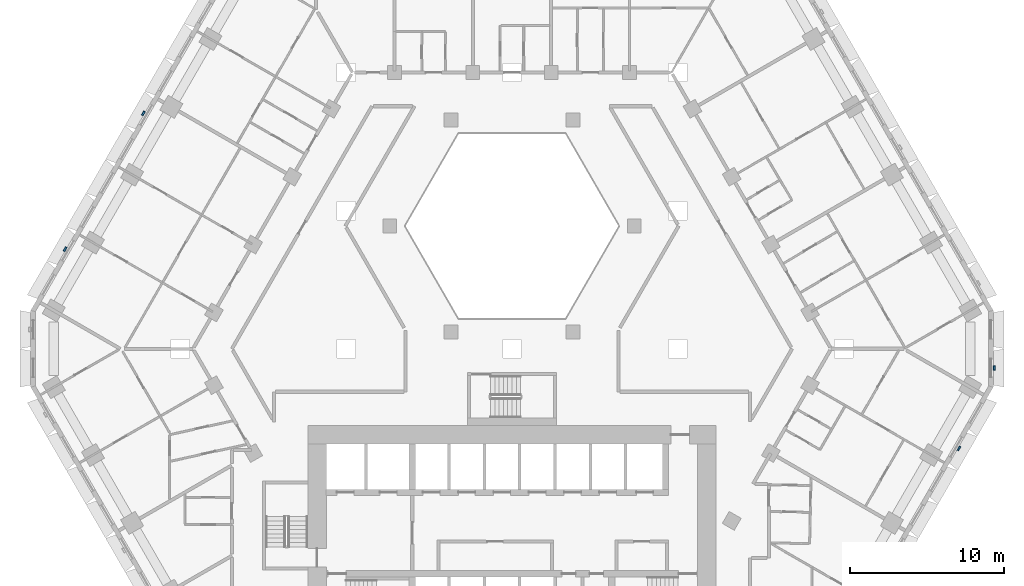
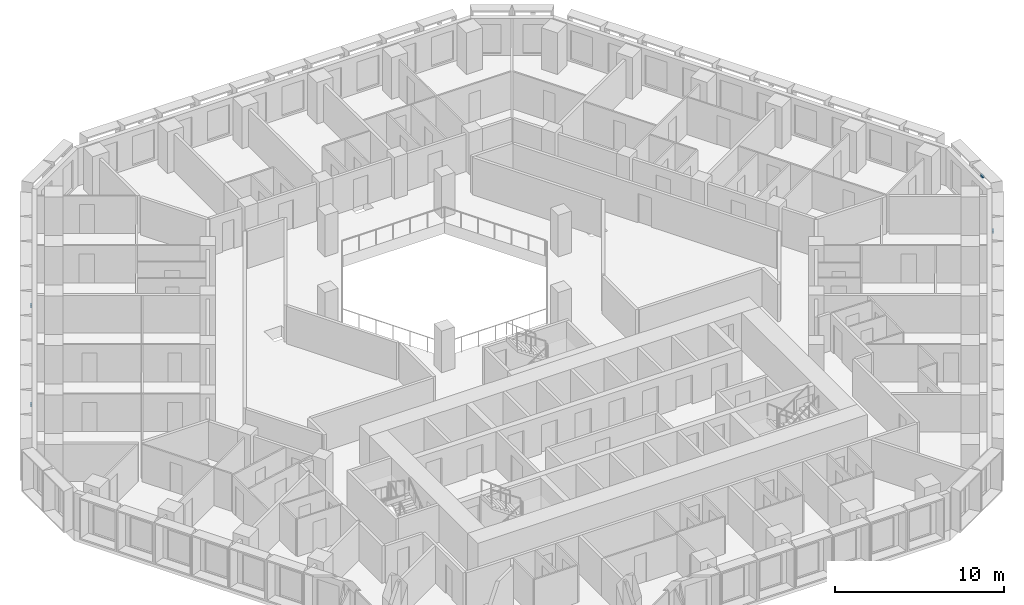
# One storey, part 14 of 21: 4 discrete accessories.
"""IFC4 building model written with IfcOpenShell, lengths in metres."""

from ifc_helpers import new_model, si_unit, direction, frame, origin, place, context, subcontext, project, spatial, polyline, outline, extrude, source, transform, mapped, material, type_object, type_shapes, element, save


model = new_model("IFC4")

# Units and contexts
model_context = context("Model", 3, precision=1e-05, world=origin(), true_north=direction((0.0, 1.0)))
body_context = subcontext(model_context, "Body", "Model", "MODEL_VIEW")
ifc_project = project(units=[si_unit("LENGTHUNIT", "METRE"), si_unit("AREAUNIT", "SQUARE_METRE"), si_unit("VOLUMEUNIT", "CUBIC_METRE"), si_unit("PLANEANGLEUNIT", "RADIAN"), si_unit("MASSUNIT", "GRAM", prefix="KILO")], contexts=[model_context])

# Site, building, storey
site_placement = place(None, origin())
site = spatial("IfcSite", under=ifc_project, at=site_placement, CompositionType="ELEMENT")
building_placement = place(site_placement, origin())
building = spatial("IfcBuilding", under=site, at=building_placement, Name="Beryl Residences", CompositionType="ELEMENT")
storey_placement = place(building_placement, frame((0.0, 0.0, 23.39990234375)))
storey = spatial("IfcBuildingStorey", under=building, at=storey_placement, Name="L06", CompositionType="ELEMENT", Elevation=23.39990234375)

# Discrete accessories
ifc_material = material(Name="Steel S355", Category="steel")
discrete_accessory_type = type_object("IfcDiscreteAccessoryType", Name="BR1 frame bracket 300 x 120 x 150 mm", PredefinedType="BRACKET", material=ifc_material)
shared_shape = source(origin(), body_context, "Body", "SweptSolid", [
    extrude(outline(polyline([(-0.14990234375, 0.0), (0.14990234375, 0.0), (0.14990234375, 0.1201171875), (-0.14990234375, 0.1201171875), (-0.14990234375, 0.0)])), origin(), (0.0, 0.0, 1.0), 0.14990234375),
])
type_shapes(discrete_accessory_type, [shared_shape])
for number, where, z_axis, x_axis, name in (
    (1, (-23.9580078125, 15.303955078125, 2.75), (0.0, 0.0, 1.0), (0.5, 0.866025403784, 0.0), "BR1 bracket L06 NW 5"),
    (2, (-29.06103515625, 6.464111328125, 2.75), (0.0, 0.0, 1.0), (0.5, 0.866025403784, 0.0), "BR1 bracket L06 NW 9"),
    (3, (29.06103515625, -6.464111328125, 2.75), (0.0, 0.0, 1.0), (-0.5, -0.866025403784, 0.0), "BR1 bracket L06 SE 9"),
    (4, (31.35009765625, -1.25, 2.75), (0.0, 0.0, 1.0), (0.0, -1.0, 0.0), "BR1 bracket L06 SE-NE 1"),
):
    element("IfcDiscreteAccessory", number, at=place(storey_placement, frame(where, z_axis=z_axis, x_axis=x_axis)), inside=storey, type_object=discrete_accessory_type, Name=name, PredefinedType="BRACKET", context=body_context, shape_type="MappedRepresentation", body=[
        mapped(shared_shape, transform((0.0, 0.0, 0.0))),
    ])

save(model, "model.ifc")
